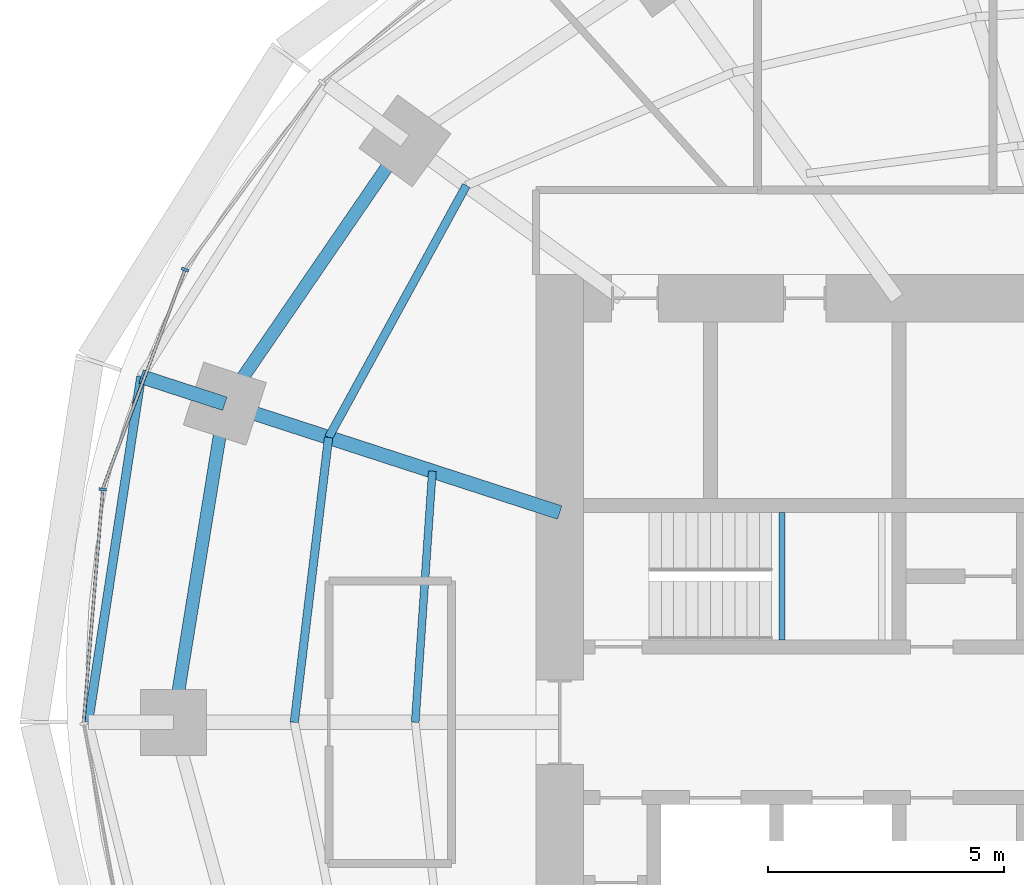
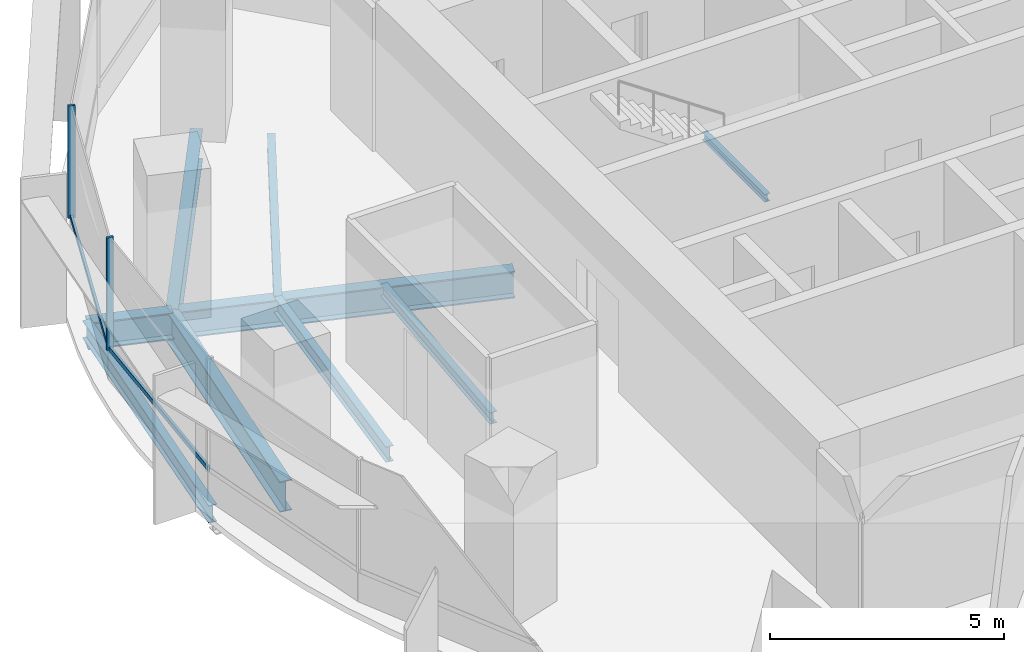
# One storey, part 4 of 15: 9 beams, 4 members, 1 element without a shape of its own.
"""IFC4 building model written with IfcOpenShell, lengths in metres."""

from ifc_helpers import new_model, si_unit, direction, frame, origin, origin_2d, place, context, subcontext, project, spatial, rectangle, i_section, extrude, material, material_profile, profile_set, type_object, element, aggregate, save


model = new_model("IFC4")

# Units and contexts
model_context = context("Model", 3, precision=1e-05, world=origin(), true_north=direction((0.0, 1.0)))
body_context = subcontext(model_context, "Body", "Model", "MODEL_VIEW")
ifc_project = project(units=[si_unit("LENGTHUNIT", "METRE"), si_unit("AREAUNIT", "SQUARE_METRE"), si_unit("VOLUMEUNIT", "CUBIC_METRE"), si_unit("PLANEANGLEUNIT", "RADIAN"), si_unit("MASSUNIT", "GRAM", prefix="KILO")], contexts=[model_context])

# Site, building, storey
site_placement = place(None, origin())
site = spatial("IfcSite", under=ifc_project, at=site_placement, CompositionType="ELEMENT")
building_placement = place(site_placement, origin())
building = spatial("IfcBuilding", under=site, at=building_placement, Name="Marramba Exchange Tower", CompositionType="ELEMENT")
storey_placement = place(building_placement, frame((0.0, 0.0, 207.199951171875)))
storey = spatial("IfcBuildingStorey", under=building, at=storey_placement, Name="L50", CompositionType="ELEMENT", Elevation=207.199951171875)

# Beams
ifc_material_1 = material(Name="Steel AS/NZS 3679.2 grade 300", Category="steel")
ifc_material_profile_1 = material_profile(ifc_material_1, i_section(OverallWidth=0.300048828125, OverallDepth=0.699951171875, WebThickness=0.010009765625, FlangeThickness=0.031982421875, at=origin_2d()), Name="700WB173")
ifc_profile_set_1 = profile_set([ifc_material_profile_1], Name="Steel AS/NZS 3679.2 grade 300")
beam_type_1 = type_object("IfcBeamType", Name="Cantilever girder 700WB173", PredefinedType="BEAM", material=ifc_profile_set_1)
beam_1_placement = place(storey_placement, frame((-20.808349609375, 6.760986328125, -0.510009765625), z_axis=(-0.951047511993, 0.309044705395, 0.0), x_axis=(-0.309044705395, -0.951047511993, 0.0)))
element("IfcBeam", 1, at=beam_1_placement, inside=storey, type_object=beam_type_1, Name="Cantilever girder L50 TC10", PredefinedType="BEAM", context=body_context, shape_type="SweptSolid", body=[
    extrude(i_section(OverallWidth=0.300048828125, OverallDepth=0.699951171875, WebThickness=0.010009765625, FlangeThickness=0.031982421875, at=origin_2d()), origin(), (0.0, 0.0, 1.0), 1.868408203125),
])
ifc_material_2 = material(Name="Steel AS/NZS 3679.1 grade 300", Category="steel")
ifc_material_profile_2 = material_profile(ifc_material_2, i_section(OverallWidth=0.166015625, OverallDepth=0.306884765625, WebThickness=0.006591796875, FlangeThickness=0.01171875, FilletRadius=0.011474609375, at=origin_2d()), Name="310UB46.2")
ifc_profile_set_2 = profile_set([ifc_material_profile_2], Name="Steel AS/NZS 3679.1 grade 300")
beam_type_2 = type_object("IfcBeamType", Name="Floor joist 310UB46.2", PredefinedType="JOIST", material=ifc_profile_set_2)
beam_2_placement = place(storey_placement, frame((-16.40283203125, 5.32958984375, -0.3134765625), z_axis=(-0.068096259546, -0.99767875563, 0.0), x_axis=(0.99767875563, -0.068096259546, 0.0)))
element("IfcBeam", 2, at=beam_2_placement, inside=storey, type_object=beam_type_2, Name="Joist L50 bay 10 row 1", PredefinedType="JOIST", context=body_context, shape_type="SweptSolid", body=[
    extrude(i_section(OverallWidth=0.166015625, OverallDepth=0.306884765625, WebThickness=0.006591796875, FlangeThickness=0.01171875, FilletRadius=0.011474609375, at=origin_2d()), origin(), (0.0, 0.0, 1.0), 5.342041015625),
])
ifc_material_profile_3 = material_profile(ifc_material_2, i_section(OverallWidth=0.177978515625, OverallDepth=0.406005859375, WebThickness=0.0078125, FlangeThickness=0.0126953125, FilletRadius=0.011474609375, at=origin_2d()), Name="410UB59.7")
ifc_profile_set_3 = profile_set([ifc_material_profile_3], Name="Steel AS/NZS 3679.1 grade 300")
beam_type_3 = type_object("IfcBeamType", Name="Floor joist 410UB59.7", PredefinedType="JOIST", material=ifc_profile_set_3)
beam_3_placement = place(storey_placement, frame((-15.682373046875, 11.393798828125, -0.363037109375), z_axis=(-0.479584443791, -0.877495732909, 0.0), x_axis=(0.877495732909, -0.479584443791, 0.0)))
element("IfcBeam", 3, at=beam_3_placement, inside=storey, type_object=beam_type_3, Name="Joist L50 bay 09 row 2", PredefinedType="JOIST", context=body_context, shape_type="SweptSolid", body=[
    extrude(i_section(OverallWidth=0.177978515625, OverallDepth=0.406005859375, WebThickness=0.0078125, FlangeThickness=0.0126953125, FilletRadius=0.011474609375, at=origin_2d()), origin(), (0.0, 0.0, 1.0), 6.094970703125),
])
beam_4_placement = place(storey_placement, frame((-18.60546875, 6.04541015625, -0.363037109375), z_axis=(-0.119523078538, -0.992831422597, 0.0), x_axis=(0.992831422597, -0.119523078538, 0.0)))
element("IfcBeam", 4, at=beam_4_placement, inside=storey, type_object=beam_type_3, Name="Joist L50 bay 10 row 2", PredefinedType="JOIST", context=body_context, shape_type="SweptSolid", body=[
    extrude(i_section(OverallWidth=0.177978515625, OverallDepth=0.406005859375, WebThickness=0.0078125, FlangeThickness=0.0126953125, FilletRadius=0.011474609375, at=origin_2d()), origin(), (0.0, 0.0, 1.0), 6.089111328125),
])

# Curtain wall, members
ifc_material_3 = material(Name="Aluminium framing, bronze anodised", Category="aluminium")
curtain_wall_type = type_object("IfcCurtainWallType", Name="Office ribbon curtain wall", PredefinedType="USERDEFINED", material=ifc_material_3)
curtain_wall_placement = place(storey_placement, origin())
curtain_wall = element("IfcCurtainWall", 5, at=curtain_wall_placement, inside=storey, type_object=curtain_wall_type, Name="Curtain wall CW4 L50 F11-F15", ObjectType="RIBBON CURTAIN WALL", PredefinedType="USERDEFINED")
ifc_material_4 = material(Name="Aluminium mullion, bronze anodised", Category="aluminium")
ifc_material_profile_4 = material_profile(ifc_material_4, rectangle(XDim=0.159912109375, YDim=0.06005859375, at=origin_2d()), Name="CW4 mullion 60x160")
ifc_profile_set_4 = profile_set([ifc_material_profile_4], Name="Aluminium mullion, bronze anodised")
member_type_1 = type_object("IfcMemberType", Name="Office ribbon curtain wall mullion", PredefinedType="MULLION", material=ifc_profile_set_4)
member_1_placement = place(storey_placement, frame((-21.65283203125, 9.607666015625, 0.800048828125), z_axis=(0.0, 0.0, 1.0), x_axis=(0.936018231909, -0.351951515885, 0.0)))
member_1 = element("IfcMember", 6, at=member_1_placement, type_object=member_type_1, Name="CW4 mullion 1", PredefinedType="MULLION", context=body_context, shape_type="SweptSolid", body=[
    extrude(rectangle(XDim=0.159912109375, YDim=0.06005859375, at=origin_2d()), origin(), (0.0, 0.0, 1.0), 2.93994140625),
])
member_2_placement = place(storey_placement, frame((-23.39794921875, 4.94287109375, 0.800048828125), z_axis=(0.0, 0.0, 1.0), x_axis=(0.996609178714, -0.082280890264, 0.0)))
member_2 = element("IfcMember", 7, at=member_2_placement, type_object=member_type_1, Name="CW4 mullion 1", PredefinedType="MULLION", context=body_context, shape_type="SweptSolid", body=[
    extrude(rectangle(XDim=0.159912109375, YDim=0.06005859375, at=origin_2d()), origin(), (0.0, 0.0, 1.0), 2.93994140625),
])
ifc_material_5 = material(Name="Aluminium transom, bronze anodised", Category="aluminium")
ifc_material_profile_5 = material_profile(ifc_material_5, rectangle(XDim=0.06005859375, YDim=0.1201171875, at=origin_2d()), Name="CW4 transom 60x120")
ifc_profile_set_5 = profile_set([ifc_material_profile_5], Name="Aluminium transom, bronze anodised")
member_type_2 = type_object("IfcMemberType", Name="Office ribbon curtain wall transom", PredefinedType="USERDEFINED", material=ifc_profile_set_5)
member_3_placement = place(storey_placement, frame((-21.663330078125, 9.57958984375, 0.830078125), z_axis=(-0.351955054115, -0.936016901494, 0.0), x_axis=(0.936016901494, -0.351955054115, 0.0)))
member_3 = element("IfcMember", 8, at=member_3_placement, type_object=member_type_2, Name="CW4 sill transom", ObjectType="TRANSOM", PredefinedType="USERDEFINED", context=body_context, shape_type="SweptSolid", body=[
    extrude(rectangle(XDim=0.06005859375, YDim=0.1201171875, at=origin_2d()), origin(), (0.0, 0.0, 1.0), 4.921630859375),
])
member_4_placement = place(storey_placement, frame((-23.400390625, 4.9130859375, 0.830078125), z_axis=(-0.082258542539, -0.996611023509, 0.0), x_axis=(0.996611023509, -0.082258542539, 0.0)))
member_4 = element("IfcMember", 9, at=member_4_placement, type_object=member_type_2, Name="CW4 sill transom", ObjectType="TRANSOM", PredefinedType="USERDEFINED", context=body_context, shape_type="SweptSolid", body=[
    extrude(rectangle(XDim=0.06005859375, YDim=0.1201171875, at=origin_2d()), origin(), (0.0, 0.0, 1.0), 4.9296875),
])
aggregate(curtain_wall, [member_1, member_3, member_2, member_4])

# Beams
ifc_material_profile_6 = material_profile(ifc_material_1, i_section(OverallWidth=0.300048828125, OverallDepth=0.699951171875, WebThickness=0.010009765625, FlangeThickness=0.031982421875, at=origin_2d()), Name="700WB173")
ifc_profile_set_6 = profile_set([ifc_material_profile_6], Name="Steel AS/NZS 3679.2 grade 300")
beam_type_4 = type_object("IfcBeamType", Name="Radial girder 700WB173", PredefinedType="BEAM", material=ifc_profile_set_6)
beam_5_placement = place(storey_placement, frame((-13.699951171875, 4.451416015625, -0.510009765625), z_axis=(-0.951059990189, 0.309006302624, 0.0), x_axis=(-0.309006302624, -0.951059990189, 0.0)))
element("IfcBeam", 10, at=beam_5_placement, inside=storey, type_object=beam_type_4, Name="Radial girder L50 TC10", PredefinedType="BEAM", context=body_context, shape_type="SweptSolid", body=[
    extrude(i_section(OverallWidth=0.300048828125, OverallDepth=0.699951171875, WebThickness=0.010009765625, FlangeThickness=0.031982421875, at=origin_2d()), origin(), (0.0, 0.0, 1.0), 7.47412109375),
])
ifc_material_profile_7 = material_profile(ifc_material_1, i_section(OverallWidth=0.27490234375, OverallDepth=0.800048828125, WebThickness=0.010009765625, FlangeThickness=0.02490234375, at=origin_2d()), Name="800WB168")
ifc_profile_set_7 = profile_set([ifc_material_profile_7], Name="Steel AS/NZS 3679.2 grade 300")
beam_type_5 = type_object("IfcBeamType", Name="Ring beam 800WB168", PredefinedType="SPANDREL", material=ifc_profile_set_7)
beam_6_placement = place(storey_placement, frame((-16.98583984375, 12.3408203125, -0.56005859375), z_axis=(-0.56516002054, -0.824981303535, 0.0), x_axis=(0.824981303535, -0.56516002054, 0.0)))
element("IfcBeam", 11, at=beam_6_placement, inside=storey, type_object=beam_type_5, Name="Ring beam L50 TC09-TC10", PredefinedType="SPANDREL", context=body_context, shape_type="SweptSolid", body=[
    extrude(i_section(OverallWidth=0.27490234375, OverallDepth=0.800048828125, WebThickness=0.010009765625, FlangeThickness=0.02490234375, at=origin_2d()), origin(), (0.0, 0.0, 1.0), 6.763671875),
])
beam_7_placement = place(storey_placement, frame((-20.808349609375, 6.760986328125, -0.56005859375), z_axis=(-0.159384865399, -0.987216523708, 0.0), x_axis=(0.987216523708, -0.159384865399, 0.0)))
element("IfcBeam", 12, at=beam_7_placement, inside=storey, type_object=beam_type_5, Name="Ring beam L50 TC10-TC11", PredefinedType="SPANDREL", context=body_context, shape_type="SweptSolid", body=[
    extrude(i_section(OverallWidth=0.27490234375, OverallDepth=0.800048828125, WebThickness=0.010009765625, FlangeThickness=0.02490234375, at=origin_2d()), origin(), (0.0, 0.0, 1.0), 6.8486328125),
])
ifc_material_profile_8 = material_profile(ifc_material_2, i_section(OverallWidth=0.19091796875, OverallDepth=0.4599609375, WebThickness=0.010009765625, FlangeThickness=0.01611328125, FilletRadius=0.011474609375, at=origin_2d()), Name="460UB82.1")
ifc_profile_set_8 = profile_set([ifc_material_profile_8], Name="Steel AS/NZS 3679.1 grade 300")
beam_type_6 = type_object("IfcBeamType", Name="Slab edge beam 460UB82.1", PredefinedType="SPANDREL", material=ifc_profile_set_8)
beam_8_placement = place(storey_placement, frame((-22.585205078125, 7.33837890625, -0.389892578125), z_axis=(-0.150987012186, -0.988535746522, 0.0), x_axis=(0.988535746522, -0.150987012186, 0.0)))
element("IfcBeam", 13, at=beam_8_placement, inside=storey, type_object=beam_type_6, Name="Slab edge beam L50 TC10-TC11", PredefinedType="SPANDREL", context=body_context, shape_type="SweptSolid", body=[
    extrude(i_section(OverallWidth=0.19091796875, OverallDepth=0.4599609375, WebThickness=0.010009765625, FlangeThickness=0.01611328125, FilletRadius=0.011474609375, at=origin_2d()), origin(), (0.0, 0.0, 1.0), 7.423583984375),
])
ifc_material_profile_9 = material_profile(ifc_material_2, i_section(OverallWidth=0.133056640625, OverallDepth=0.202880859375, WebThickness=0.005859375, FlangeThickness=0.0078125, FilletRadius=0.0087890625, at=origin_2d()), Name="200UB25.4")
ifc_profile_set_9 = profile_set([ifc_material_profile_9], Name="Steel AS/NZS 3679.1 grade 300")
beam_type_7 = type_object("IfcBeamType", Name="Stair landing beam 200UB25.4", PredefinedType="BEAM", material=ifc_profile_set_9)
beam_9_placement = place(storey_placement, frame((-8.9833984375, 1.75, 1.6484375), z_axis=(0.0, 1.0, 0.0), x_axis=(-1.0, 0.0, 0.0)))
element("IfcBeam", 14, at=beam_9_placement, inside=storey, type_object=beam_type_7, Name="Stair landing beam SLB1 ST1 L50 1", PredefinedType="BEAM", context=body_context, shape_type="SweptSolid", body=[
    extrude(i_section(OverallWidth=0.133056640625, OverallDepth=0.202880859375, WebThickness=0.005859375, FlangeThickness=0.0078125, FilletRadius=0.0087890625, at=origin_2d()), origin(), (0.0, 0.0, 1.0), 2.699951171875),
])

save(model, "model.ifc")
